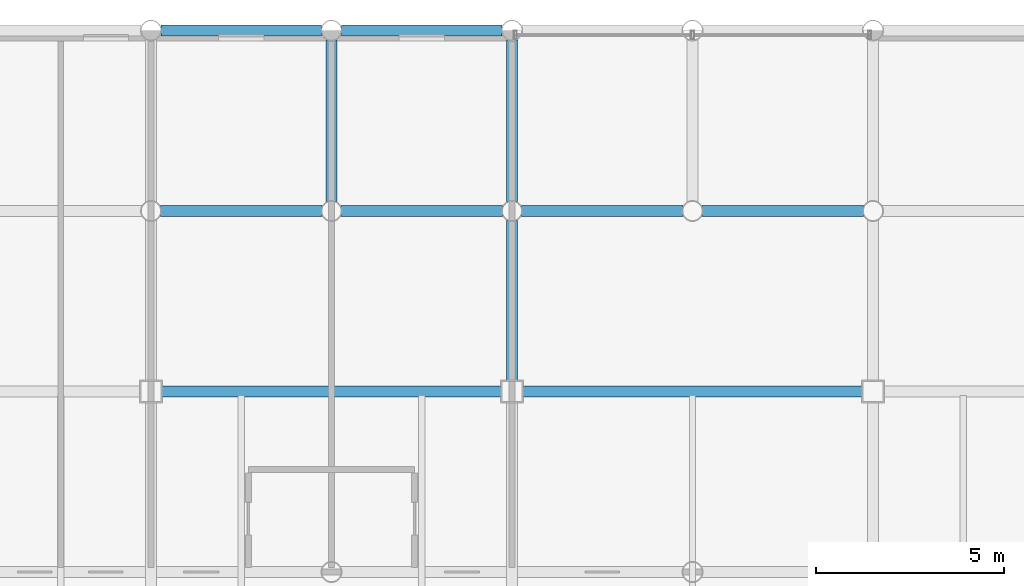
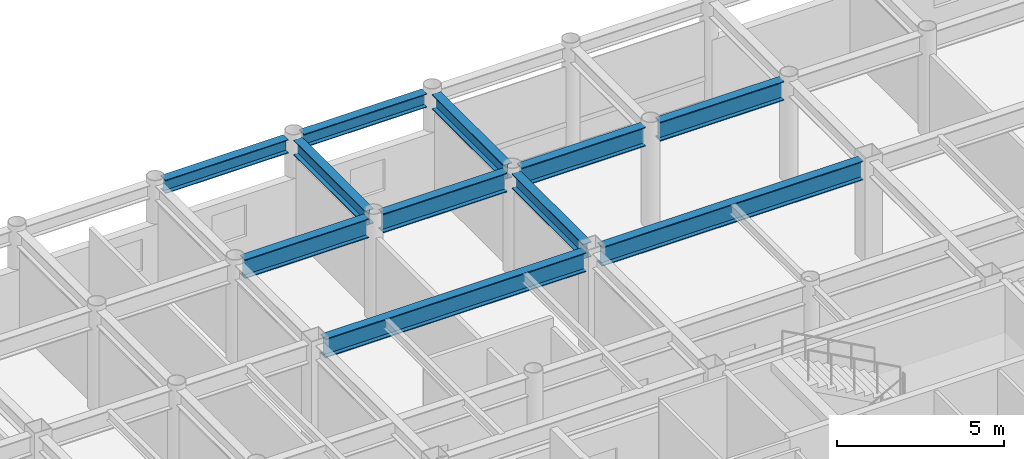
# One storey, part 13 of 22: 11 beams.
"""IFC4 building model written with IfcOpenShell, lengths in metres."""

from ifc_helpers import new_model, si_unit, direction, frame, origin, origin_2d, place, context, subcontext, project, spatial, i_section, extrude, material, material_profile, profile_set, type_object, element, save


model = new_model("IFC4")

# Units and contexts
model_context = context("Model", 3, precision=1e-05, world=origin(), true_north=direction((0.0, 1.0)))
body_context = subcontext(model_context, "Body", "Model", "MODEL_VIEW")
ifc_project = project(units=[si_unit("LENGTHUNIT", "METRE"), si_unit("AREAUNIT", "SQUARE_METRE"), si_unit("VOLUMEUNIT", "CUBIC_METRE"), si_unit("PLANEANGLEUNIT", "RADIAN"), si_unit("MASSUNIT", "GRAM", prefix="KILO")], contexts=[model_context])

# Site, building, storey
site_placement = place(None, origin())
site = spatial("IfcSite", under=ifc_project, at=site_placement, CompositionType="ELEMENT")
building_placement = place(site_placement, origin())
building = spatial("IfcBuilding", under=site, at=building_placement, Name="Kallvorn Hotel Tower", CompositionType="ELEMENT")
storey_placement = place(building_placement, frame((0.0, 0.0, 226.14990234375)))
storey = spatial("IfcBuildingStorey", under=building, at=storey_placement, Name="L56", CompositionType="ELEMENT", Elevation=226.14990234375)

# Beams
ifc_material_1 = material(Name="Structural steel S355JR", Category="steel")
ifc_material_profile_1 = material_profile(ifc_material_1, i_section(OverallWidth=0.300048828125, OverallDepth=0.5, WebThickness=0.014404296875, FlangeThickness=0.028076171875, at=origin_2d()), Name="HE 500 B")
ifc_profile_set_1 = profile_set([ifc_material_profile_1], Name="Structural steel S355JR")
beam_type_1 = type_object("IfcBeamType", Name="BM_HE500B", PredefinedType="SPANDREL", material=ifc_profile_set_1)
beam_1_placement = place(storey_placement, frame((-14.130615234375, 24.0, 3.420166015625), z_axis=(1.0, 0.0, 0.0), x_axis=(0.0, 1.0, 0.0)))
element("IfcBeam", 1, at=beam_1_placement, inside=storey, type_object=beam_type_1, Name="L57 Perimeter Spandrel 165", PredefinedType="SPANDREL", context=body_context, shape_type="SweptSolid", body=[
    extrude(i_section(OverallWidth=0.300048828125, OverallDepth=0.5, WebThickness=0.014404296875, FlangeThickness=0.028076171875, at=origin_2d()), origin(), (0.0, 0.0, 1.0), 4.26123046875),
])
beam_2_placement = place(storey_placement, frame((-9.33056640625, 24.0, 3.420166015625), z_axis=(1.0, 0.0, 0.0), x_axis=(0.0, 1.0, 0.0)))
element("IfcBeam", 2, at=beam_2_placement, inside=storey, type_object=beam_type_1, Name="L57 Perimeter Spandrel 166", PredefinedType="SPANDREL", context=body_context, shape_type="SweptSolid", body=[
    extrude(i_section(OverallWidth=0.300048828125, OverallDepth=0.5, WebThickness=0.014404296875, FlangeThickness=0.028076171875, at=origin_2d()), origin(), (0.0, 0.0, 1.0), 4.260986328125),
])
ifc_material_2 = material(Name="Structural steel S355JR", Category="steel")
ifc_material_profile_2 = material_profile(ifc_material_2, i_section(OverallWidth=0.300048828125, OverallDepth=0.550048828125, WebThickness=0.014892578125, FlangeThickness=0.029052734375, at=origin_2d()), Name="HE 550 B")
ifc_profile_set_2 = profile_set([ifc_material_profile_2], Name="Structural steel S355JR")
beam_type_2 = type_object("IfcBeamType", Name="BM_HE550B", PredefinedType="SPANDREL", material=ifc_profile_set_2)
beam_3_placement = place(storey_placement, frame((-9.60009765625, 19.45458984375, 3.39501953125), z_axis=(0.0, 1.0, 0.0), x_axis=(-1.0, 0.0, 0.0)))
element("IfcBeam", 3, at=beam_3_placement, inside=storey, type_object=beam_type_2, Name="L57 Primary Y-Girder 104", PredefinedType="SPANDREL", context=body_context, shape_type="SweptSolid", body=[
    extrude(i_section(OverallWidth=0.300048828125, OverallDepth=0.550048828125, WebThickness=0.014892578125, FlangeThickness=0.029052734375, at=origin_2d()), origin(), (0.0, 0.0, 1.0), 4.291015625),
])
beam_4_placement = place(storey_placement, frame((-4.800048828125, 14.675048828125, 3.39501953125), z_axis=(0.0, 1.0, 0.0), x_axis=(-1.0, 0.0, 0.0)))
element("IfcBeam", 4, at=beam_4_placement, inside=storey, type_object=beam_type_2, Name="L57 Primary Y-Girder 108", PredefinedType="SPANDREL", context=body_context, shape_type="SweptSolid", body=[
    extrude(i_section(OverallWidth=0.300048828125, OverallDepth=0.550048828125, WebThickness=0.014892578125, FlangeThickness=0.029052734375, at=origin_2d()), origin(), (0.0, 0.0, 1.0), 4.2705078125),
])
beam_5_placement = place(storey_placement, frame((-4.800048828125, 19.45458984375, 3.39501953125), z_axis=(0.0, 1.0, 0.0), x_axis=(-1.0, 0.0, 0.0)))
element("IfcBeam", 5, at=beam_5_placement, inside=storey, type_object=beam_type_2, Name="L57 Primary Y-Girder 109", PredefinedType="SPANDREL", context=body_context, shape_type="SweptSolid", body=[
    extrude(i_section(OverallWidth=0.300048828125, OverallDepth=0.550048828125, WebThickness=0.014892578125, FlangeThickness=0.029052734375, at=origin_2d()), origin(), (0.0, 0.0, 1.0), 4.291015625),
])
ifc_material_3 = material(Name="Structural steel S355JR", Category="steel")
ifc_material_profile_3 = material_profile(ifc_material_3, i_section(OverallWidth=0.300048828125, OverallDepth=0.699951171875, WebThickness=0.01708984375, FlangeThickness=0.031982421875, at=origin_2d()), Name="HE 700 B")
ifc_profile_set_3 = profile_set([ifc_material_profile_3], Name="Structural steel S355JR")
beam_type_3 = type_object("IfcBeamType", Name="BM_HE700B", PredefinedType="BEAM", material=ifc_profile_set_3)
beam_6_placement = place(storey_placement, frame((-14.125, 14.39990234375, 3.320068359375), z_axis=(1.0, 0.0, 0.0), x_axis=(0.0, 1.0, 0.0)))
element("IfcBeam", 6, at=beam_6_placement, inside=storey, type_object=beam_type_3, Name="L57 Primary X-Girder 53", PredefinedType="BEAM", context=body_context, shape_type="SweptSolid", body=[
    extrude(i_section(OverallWidth=0.300048828125, OverallDepth=0.699951171875, WebThickness=0.01708984375, FlangeThickness=0.031982421875, at=origin_2d()), origin(), (0.0, 0.0, 1.0), 9.050048828125),
])
beam_7_placement = place(storey_placement, frame((-4.52490234375, 14.39990234375, 3.320068359375), z_axis=(1.0, 0.0, 0.0), x_axis=(0.0, 1.0, 0.0)))
element("IfcBeam", 7, at=beam_7_placement, inside=storey, type_object=beam_type_3, Name="L57 Primary X-Girder 54", PredefinedType="BEAM", context=body_context, shape_type="SweptSolid", body=[
    extrude(i_section(OverallWidth=0.300048828125, OverallDepth=0.699951171875, WebThickness=0.01708984375, FlangeThickness=0.031982421875, at=origin_2d()), origin(), (0.0, 0.0, 1.0), 9.0498046875),
])
for number, where, z_axis, x_axis, name in (
    (8, (-14.1455078125, 19.199951171875, 3.320068359375), (1.0, 0.0, 0.0), (0.0, 1.0, 0.0), "L57 Primary X-Girder 63"),
    (9, (-9.345458984375, 19.199951171875, 3.320068359375), (1.0, 0.0, 0.0), (0.0, 1.0, 0.0), "L57 Primary X-Girder 64"),
    (10, (-4.54541015625, 19.199951171875, 3.320068359375), (1.0, 0.0, 0.0), (0.0, 1.0, 0.0), "L57 Primary X-Girder 65"),
    (11, (0.25439453125, 19.199951171875, 3.320068359375), (1.0, 0.0, 0.0), (0.0, 1.0, 0.0), "L57 Primary X-Girder 66"),
):
    element("IfcBeam", number, at=place(storey_placement, frame(where, z_axis=z_axis, x_axis=x_axis)), inside=storey, type_object=beam_type_3, Name=name, PredefinedType="BEAM", context=body_context, shape_type="SweptSolid", body=[
        extrude(i_section(OverallWidth=0.300048828125, OverallDepth=0.699951171875, WebThickness=0.01708984375, FlangeThickness=0.031982421875, at=origin_2d()), origin(), (0.0, 0.0, 1.0), 4.291015625),
    ])

save(model, "model.ifc")
